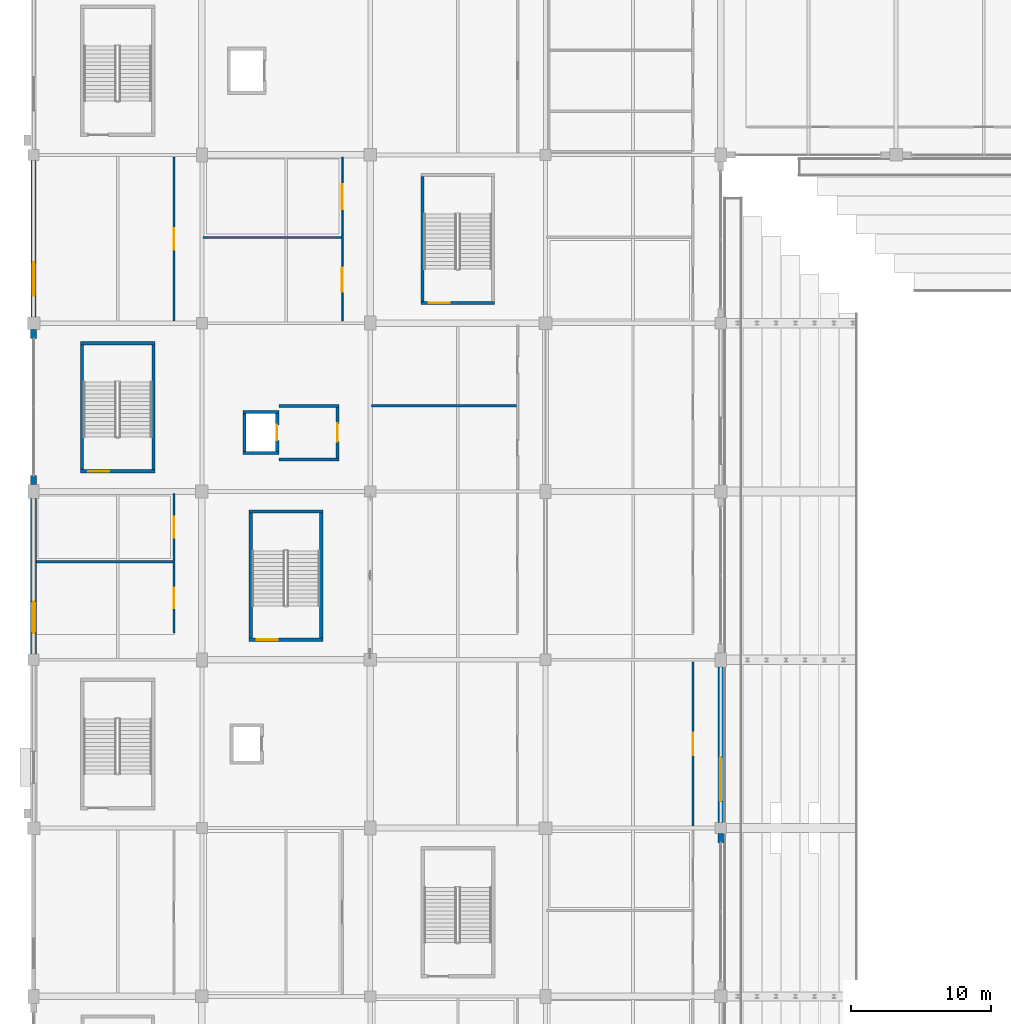
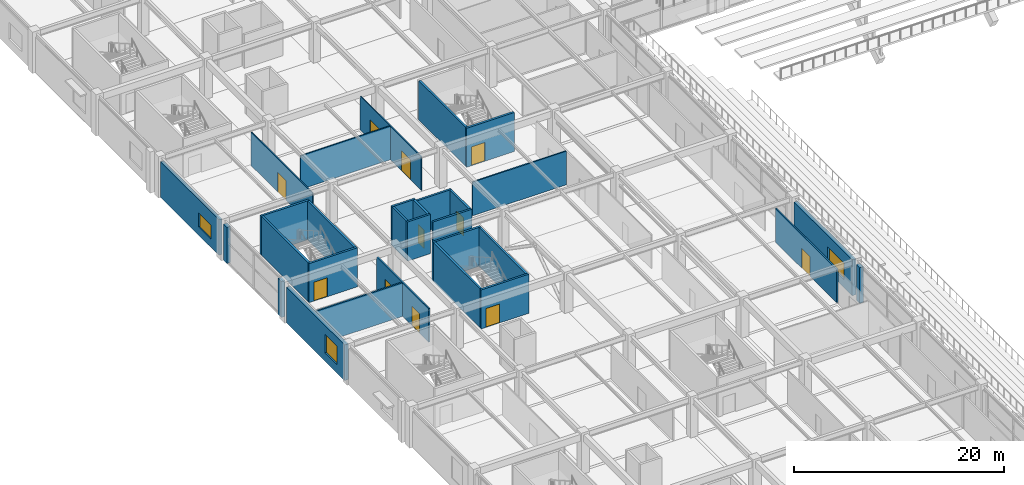
# One storey, part 81 of 134: 30 walls, 11 doors, 3 windows, 14 openings.
"""IFC4 building model written with IfcOpenShell, lengths in metres."""

from ifc_helpers import new_model, si_unit, direction, frame, frame_2d, origin, place, context, subcontext, project, spatial, rectangle, extrude, material, layer, layer_set, type_object, element, fill, save


model = new_model("IFC4")

# Units and contexts
model_context = context("Model", 3, precision=1e-05, world=origin(), true_north=direction((0.0, 1.0)))
body_context = subcontext(model_context, "Body", "Model", "MODEL_VIEW")
ifc_project = project(units=[si_unit("LENGTHUNIT", "METRE"), si_unit("AREAUNIT", "SQUARE_METRE"), si_unit("VOLUMEUNIT", "CUBIC_METRE"), si_unit("PLANEANGLEUNIT", "RADIAN"), si_unit("MASSUNIT", "GRAM", prefix="KILO")], contexts=[model_context])

# Site, building, storey
site_placement = place(None, origin())
site = spatial("IfcSite", under=ifc_project, at=site_placement, CompositionType="ELEMENT")
building_placement = place(site_placement, origin())
building = spatial("IfcBuilding", under=site, at=building_placement, Name="Kazenohara Klinker Stadium", CompositionType="ELEMENT")
storey_placement = place(building_placement, frame((0.0, 0.0, 5.39990234375)))
storey = spatial("IfcBuildingStorey", under=building, at=storey_placement, Name="L01", CompositionType="ELEMENT", Elevation=5.39990234375)

# Wall, opening, door
ifc_material_1 = material(Name="Concrete C40/50", Category="concrete")
ifc_layer_1 = layer(ifc_material_1, 0.22998046875)
ifc_layer_set_1 = layer_set([ifc_layer_1], Name="Concrete C40/50")
wall_type_1 = type_object("IfcWallType", Name="WAL-CORE-230", PredefinedType="SHEAR", material=ifc_layer_set_1)
wall_1_placement = place(storey_placement, frame((3.340087890625, 109.43505859375, 0.0), z_axis=(0.0, 0.0, 1.0), x_axis=(1.0, 0.0, 0.0)))
wall_1 = element("IfcWall", 1, at=wall_1_placement, inside=storey, type_object=wall_type_1, Name="Stairwell shear wall ST04 L01 South", PredefinedType="SHEAR", context=body_context, shape_type="SweptSolid", body=[
    extrude(rectangle(XDim=5.31982421875, YDim=0.22998046875, at=frame_2d((2.659912109375, 0.0))), origin(), (0.0, 0.0, 1.0), 4.550048828125),
])
opening_1_placement = place(wall_1_placement, frame((0.550048828125, 0.0, 0.0)))
opening_1 = element("IfcOpeningElement", 2, at=opening_1_placement, cuts=wall_1, Name="Opening SD02", PredefinedType="OPENING", context=body_context, shape_type="SweptSolid", body=[
    extrude(rectangle(XDim=1.5, YDim=2.199951171875, at=frame_2d((0.75, 1.10009765625))), frame((0.0, 0.125, 0.0), z_axis=(0.0, -1.0, 0.0), x_axis=(1.0, 0.0, 0.0)), (0.0, 0.0, 1.0), 0.25),
])
ifc_material_2 = material(Name="Flush painted steel fire door leaf", Category="steel")
door_type_1 = type_object("IfcDoorType", Name="DR-STR-1500x2200", OperationType="NOTDEFINED", PredefinedType="DOOR", material=ifc_material_2)
door_1_placement = place(opening_1_placement, origin())
door_1 = element("IfcDoor", 3, at=door_1_placement, inside=storey, type_object=door_type_1, Name="Escape stairwell fire door ST04-L01", OperationType="SINGLE_SWING_RIGHT", OverallHeight=2.199951171875, OverallWidth=1.5, PredefinedType="DOOR", context=body_context, shape_type="SweptSolid", body=[
    extrude(rectangle(XDim=1.5, YDim=2.199951171875, at=frame_2d((0.75, 1.10009765625))), frame((0.0, 0.02490234375, 0.0), z_axis=(0.0, -1.0, 0.0), x_axis=(1.0, 0.0, 0.0)), (0.0, 0.0, 1.0), 0.050048828125),
])
fill(opening_1, door_1)

# Walls
wall_2_placement = place(storey_placement, frame((3.340087890625, 118.56494140625, 0.0), z_axis=(0.0, 0.0, 1.0), x_axis=(1.0, 0.0, 0.0)))
element("IfcWall", 4, at=wall_2_placement, inside=storey, type_object=wall_type_1, Name="Stairwell shear wall ST04 L01 North", PredefinedType="SHEAR", context=body_context, shape_type="SweptSolid", body=[
    extrude(rectangle(XDim=5.31982421875, YDim=0.22998046875, at=frame_2d((2.659912109375, 0.0))), origin(), (0.0, 0.0, 1.0), 4.550048828125),
])
for number, where, z_axis, x_axis, name in (
    (5, (3.455078125, 109.550048828125, 0.0), (0.0, 0.0, 1.0), (0.0, 1.0, 0.0), "Stairwell shear wall ST04 L01 West"),
    (6, (8.544921875, 109.550048828125, 0.0), (0.0, 0.0, 1.0), (0.0, 1.0, 0.0), "Stairwell shear wall ST04 L01 East"),
):
    element("IfcWall", number, at=place(storey_placement, frame(where, z_axis=z_axis, x_axis=x_axis)), inside=storey, type_object=wall_type_1, Name=name, PredefinedType="SHEAR", context=body_context, shape_type="SweptSolid", body=[
        extrude(rectangle(XDim=8.89990234375, YDim=0.22998046875, at=frame_2d((4.449951171875, 0.0))), origin(), (0.0, 0.0, 1.0), 4.550048828125),
    ])

# Wall, opening, door
wall_3_placement = place(storey_placement, frame((15.3701171875, 97.43505859375, 0.0), z_axis=(0.0, 0.0, 1.0), x_axis=(1.0, 0.0, 0.0)))
wall_3 = element("IfcWall", 7, at=wall_3_placement, inside=storey, type_object=wall_type_1, Name="Stairwell shear wall ST14 L01 South", PredefinedType="SHEAR", context=body_context, shape_type="SweptSolid", body=[
    extrude(rectangle(XDim=5.259765625, YDim=0.22998046875, at=frame_2d((2.6298828125, 0.0))), origin(), (0.0, 0.0, 1.0), 4.550048828125),
])
opening_2_placement = place(wall_3_placement, frame((0.550048828125, 0.0, 0.0)))
opening_2 = element("IfcOpeningElement", 8, at=opening_2_placement, cuts=wall_3, Name="Opening SD02", PredefinedType="OPENING", context=body_context, shape_type="SweptSolid", body=[
    extrude(rectangle(XDim=1.5, YDim=2.199951171875, at=frame_2d((0.75, 1.10009765625))), frame((0.0, 0.125, 0.0), z_axis=(0.0, -1.0, 0.0), x_axis=(1.0, 0.0, 0.0)), (0.0, 0.0, 1.0), 0.25),
])
door_2_placement = place(opening_2_placement, origin())
door_2 = element("IfcDoor", 9, at=door_2_placement, inside=storey, type_object=door_type_1, Name="Escape stairwell fire door ST14-L01", OperationType="SINGLE_SWING_RIGHT", OverallHeight=2.199951171875, OverallWidth=1.5, PredefinedType="DOOR", context=body_context, shape_type="SweptSolid", body=[
    extrude(rectangle(XDim=1.5, YDim=2.199951171875, at=frame_2d((0.75, 1.10009765625))), frame((0.0, 0.02490234375, 0.0), z_axis=(0.0, -1.0, 0.0), x_axis=(1.0, 0.0, 0.0)), (0.0, 0.0, 1.0), 0.050048828125),
])
fill(opening_2, door_2)

# Walls
wall_4_placement = place(storey_placement, frame((15.3701171875, 106.56494140625, 0.0), z_axis=(0.0, 0.0, 1.0), x_axis=(1.0, 0.0, 0.0)))
element("IfcWall", 10, at=wall_4_placement, inside=storey, type_object=wall_type_1, Name="Stairwell shear wall ST14 L01 North", PredefinedType="SHEAR", context=body_context, shape_type="SweptSolid", body=[
    extrude(rectangle(XDim=5.259765625, YDim=0.22998046875, at=frame_2d((2.6298828125, 0.0))), origin(), (0.0, 0.0, 1.0), 4.550048828125),
])
for number, where, z_axis, x_axis, name in (
    (11, (15.485107421875, 97.550048828125, 0.0), (0.0, 0.0, 1.0), (0.0, 1.0, 0.0), "Stairwell shear wall ST14 L01 West"),
    (12, (20.514892578125, 97.550048828125, 0.0), (0.0, 0.0, 1.0), (0.0, 1.0, 0.0), "Stairwell shear wall ST14 L01 East"),
):
    element("IfcWall", number, at=place(storey_placement, frame(where, z_axis=z_axis, x_axis=x_axis)), inside=storey, type_object=wall_type_1, Name=name, PredefinedType="SHEAR", context=body_context, shape_type="SweptSolid", body=[
        extrude(rectangle(XDim=8.89990234375, YDim=0.22998046875, at=frame_2d((4.449951171875, 0.0))), origin(), (0.0, 0.0, 1.0), 4.550048828125),
    ])

# Wall, opening, door
wall_5_placement = place(storey_placement, frame((27.6201171875, 121.43505859375, 0.0), z_axis=(0.0, 0.0, 1.0), x_axis=(1.0, 0.0, 0.0)))
wall_5 = element("IfcWall", 13, at=wall_5_placement, inside=storey, type_object=wall_type_1, Name="Stairwell shear wall ST18 L01 South", PredefinedType="SHEAR", context=body_context, shape_type="SweptSolid", body=[
    extrude(rectangle(XDim=5.259765625, YDim=0.22998046875, at=frame_2d((2.6298828125, 0.0))), origin(), (0.0, 0.0, 1.0), 4.550048828125),
])
opening_3_placement = place(wall_5_placement, frame((0.550048828125, 0.0, 0.0)))
opening_3 = element("IfcOpeningElement", 14, at=opening_3_placement, cuts=wall_5, Name="Opening SD02", PredefinedType="OPENING", context=body_context, shape_type="SweptSolid", body=[
    extrude(rectangle(XDim=1.5, YDim=2.199951171875, at=frame_2d((0.75, 1.10009765625))), frame((0.0, 0.125, 0.0), z_axis=(0.0, -1.0, 0.0), x_axis=(1.0, 0.0, 0.0)), (0.0, 0.0, 1.0), 0.25),
])
door_3_placement = place(opening_3_placement, origin())
door_3 = element("IfcDoor", 15, at=door_3_placement, inside=storey, type_object=door_type_1, Name="Escape stairwell fire door ST18-L01", OperationType="SINGLE_SWING_LEFT", OverallHeight=2.199951171875, OverallWidth=1.5, PredefinedType="DOOR", context=body_context, shape_type="SweptSolid", body=[
    extrude(rectangle(XDim=1.5, YDim=2.199951171875, at=frame_2d((0.75, 1.10009765625))), frame((0.0, 0.02490234375, 0.0), z_axis=(0.0, -1.0, 0.0), x_axis=(1.0, 0.0, 0.0)), (0.0, 0.0, 1.0), 0.050048828125),
])
fill(opening_3, door_3)

# Walls
wall_6_placement = place(storey_placement, frame((27.735107421875, 121.550048828125, 0.0), z_axis=(0.0, 0.0, 1.0), x_axis=(0.0, 1.0, 0.0)))
element("IfcWall", 16, at=wall_6_placement, inside=storey, type_object=wall_type_1, Name="Stairwell shear wall ST18 L01 West", PredefinedType="SHEAR", context=body_context, shape_type="SweptSolid", body=[
    extrude(rectangle(XDim=8.89990234375, YDim=0.22998046875, at=frame_2d((4.449951171875, 0.0))), origin(), (0.0, 0.0, 1.0), 4.550048828125),
])
for number, where, z_axis, x_axis, name in (
    (17, (14.919921875, 110.735107421875, 0.0), (0.0, 0.0, 1.0), (1.0, 0.0, 0.0), "Elevator shaft wall LF02 L01 South"),
    (18, (14.919921875, 113.6650390625, 0.0), (0.0, 0.0, 1.0), (1.0, 0.0, 0.0), "Elevator shaft wall LF02 L01 North"),
):
    element("IfcWall", number, at=place(storey_placement, frame(where, z_axis=z_axis, x_axis=x_axis)), inside=storey, type_object=wall_type_1, Name=name, PredefinedType="SHEAR", context=body_context, shape_type="SweptSolid", body=[
        extrude(rectangle(XDim=2.56005859375, YDim=0.22998046875, at=frame_2d((1.280029296875, 0.0))), origin(), (0.0, 0.0, 1.0), 4.550048828125),
    ])
wall_7_placement = place(storey_placement, frame((15.034912109375, 110.85009765625, 0.0), z_axis=(0.0, 0.0, 1.0), x_axis=(0.0, 1.0, 0.0)))
element("IfcWall", 19, at=wall_7_placement, inside=storey, type_object=wall_type_1, Name="Elevator shaft wall LF02 L01 West", PredefinedType="SHEAR", context=body_context, shape_type="SweptSolid", body=[
    extrude(rectangle(XDim=2.699951171875, YDim=0.22998046875, at=frame_2d((1.35009765625, 0.0))), origin(), (0.0, 0.0, 1.0), 4.550048828125),
])

# Wall, opening, door
wall_8_placement = place(storey_placement, frame((17.364990234375, 110.85009765625, 0.0), z_axis=(0.0, 0.0, 1.0), x_axis=(0.0, 1.0, 0.0)))
wall_8 = element("IfcWall", 20, at=wall_8_placement, inside=storey, type_object=wall_type_1, Name="Elevator shaft wall LF02 L01 East", PredefinedType="SHEAR", context=body_context, shape_type="SweptSolid", body=[
    extrude(rectangle(XDim=2.699951171875, YDim=0.22998046875, at=frame_2d((1.35009765625, 0.0))), origin(), (0.0, 0.0, 1.0), 4.550048828125),
])
opening_4_placement = place(wall_8_placement, frame((0.800048828125, 0.0, 0.0)))
opening_4 = element("IfcOpeningElement", 21, at=opening_4_placement, cuts=wall_8, Name="Opening LD01", PredefinedType="OPENING", context=body_context, shape_type="SweptSolid", body=[
    extrude(rectangle(XDim=1.10009765625, YDim=2.14990234375, at=frame_2d((0.550048828125, 1.074951171875))), frame((0.0, 0.125, 0.0), z_axis=(0.0, -1.0, 0.0), x_axis=(1.0, 0.0, 0.0)), (0.0, 0.0, 1.0), 0.25),
])
ifc_material_3 = material(Name="Stainless steel fire-rated sliding landing door", Category="steel")
door_type_2 = type_object("IfcDoorType", Name="DR-LD01-1100x2150", OperationType="NOTDEFINED", PredefinedType="DOOR", material=ifc_material_3)
door_4_placement = place(opening_4_placement, origin())
door_4 = element("IfcDoor", 22, at=door_4_placement, inside=storey, type_object=door_type_2, Name="Elevator sliding landing door LF02-L01", OperationType="DOUBLE_DOOR_SLIDING", OverallHeight=2.14990234375, OverallWidth=1.10009765625, PredefinedType="DOOR", context=body_context, shape_type="SweptSolid", body=[
    extrude(rectangle(XDim=1.10009765625, YDim=2.14990234375, at=frame_2d((0.550048828125, 1.074951171875))), frame((0.0, 0.02490234375, 0.0), z_axis=(0.0, -1.0, 0.0), x_axis=(1.0, 0.0, 0.0)), (0.0, 0.0, 1.0), 0.050048828125),
])
fill(opening_4, door_4)

# Wall, opening, window
ifc_material_4 = material(Name="Clinker brick masonry", Category="masonry")
ifc_layer_2 = layer(ifc_material_4, 0.340087890625)
ifc_layer_set_2 = layer_set([ifc_layer_2], Name="Clinker brick masonry")
wall_type_2 = type_object("IfcWallType", Name="WAL-EXT-CB340", PredefinedType="SOLIDWALL", material=ifc_layer_set_2)
wall_9_placement = place(storey_placement, frame((0.0, 120.4541015625, 0.0), z_axis=(0.0, 0.0, 1.0), x_axis=(0.0, 1.0, 0.0)))
wall_9 = element("IfcWall", 23, at=wall_9_placement, inside=storey, type_object=wall_type_2, Name="Clinker brick cavity wall EW04 L01 Y0-10", PredefinedType="SOLIDWALL", context=body_context, shape_type="SweptSolid", body=[
    extrude(rectangle(XDim=11.141845703125, YDim=0.340087890625, at=frame_2d((5.57080078125, 0.0))), origin(), (0.0, 0.0, 1.0), 4.150146484375),
])
opening_5_placement = place(wall_9_placement, frame((1.5, 0.0, 0.949951171875)))
opening_5 = element("IfcOpeningElement", 24, at=opening_5_placement, cuts=wall_9, Name="Opening W23", PredefinedType="OPENING", context=body_context, shape_type="SweptSolid", body=[
    extrude(rectangle(XDim=2.39990234375, YDim=1.64990234375, at=frame_2d((1.199951171875, 0.824951171875))), frame((0.0, 0.18017578125, 0.0), z_axis=(0.0, -1.0, 0.0), x_axis=(1.0, 0.0, 0.0)), (0.0, 0.0, 1.0), 0.360107421875),
])
ifc_material_5 = material(Name="Dark bronze aluminium frame and triple glazing", Category="aluminium")
window_type_1 = type_object("IfcWindowType", Name="WIN-AS-23", PartitioningType="SINGLE_PANEL", PredefinedType="WINDOW", material=ifc_material_5)
window_1_placement = place(opening_5_placement, origin())
window_1 = element("IfcWindow", 25, at=window_1_placement, inside=storey, type_object=window_type_1, Name="Horizontal-mullion ladder window W23 L01 Y0-10", OverallHeight=1.64990234375, OverallWidth=2.39990234375, PartitioningType="SINGLE_PANEL", PredefinedType="WINDOW", context=body_context, shape_type="SweptSolid", body=[
    extrude(rectangle(XDim=2.39990234375, YDim=1.64990234375, at=frame_2d((1.199951171875, 0.824951171875))), frame((0.0, 0.030029296875, 0.0), z_axis=(0.0, -1.0, 0.0), x_axis=(1.0, 0.0, 0.0)), (0.0, 0.0, 1.0), 0.06005859375),
])
fill(opening_5, window_1)

ifc_layer_3 = layer(ifc_material_4, 0.409912109375)
ifc_layer_set_3 = layer_set([ifc_layer_3], Name="Clinker brick masonry")
wall_type_3 = type_object("IfcWallType", Name="WAL-EXT-CB410", PredefinedType="SOLIDWALL", material=ifc_layer_set_3)
wall_10_placement = place(storey_placement, frame((0.0, 96.404052734375, 0.0), z_axis=(0.0, 0.0, 1.0), x_axis=(0.0, 1.0, 0.0)))
wall_10 = element("IfcWall", 26, at=wall_10_placement, inside=storey, type_object=wall_type_3, Name="Clinker brick cavity wall EW02 L01 Y0-8", PredefinedType="SOLIDWALL", context=body_context, shape_type="SweptSolid", body=[
    extrude(rectangle(XDim=11.092041015625, YDim=0.409912109375, at=frame_2d((5.5458984375, 0.0))), origin(), (0.0, 0.0, 1.0), 4.150146484375),
])
opening_6_placement = place(wall_10_placement, frame((1.5, 0.0, 0.949951171875)))
opening_6 = element("IfcOpeningElement", 27, at=opening_6_placement, cuts=wall_10, Name="Opening W22", PredefinedType="OPENING", context=body_context, shape_type="SweptSolid", body=[
    extrude(rectangle(XDim=2.25, YDim=2.199951171875, at=frame_2d((1.125, 1.10009765625))), frame((0.0, 0.21484375, 0.0), z_axis=(0.0, -1.0, 0.0), x_axis=(1.0, 0.0, 0.0)), (0.0, 0.0, 1.0), 0.429931640625),
])
window_type_2 = type_object("IfcWindowType", Name="WIN-AS-22", PartitioningType="SINGLE_PANEL", PredefinedType="WINDOW", material=ifc_material_5)
window_2_placement = place(opening_6_placement, origin())
window_2 = element("IfcWindow", 28, at=window_2_placement, inside=storey, type_object=window_type_2, Name="Horizontal-mullion ladder window W22 L01 Y0-8", OverallHeight=2.199951171875, OverallWidth=2.25, PartitioningType="SINGLE_PANEL", PredefinedType="WINDOW", context=body_context, shape_type="SweptSolid", body=[
    extrude(rectangle(XDim=2.25, YDim=2.199951171875, at=frame_2d((1.125, 1.10009765625))), frame((0.0, 0.030029296875, 0.0), z_axis=(0.0, -1.0, 0.0), x_axis=(1.0, 0.0, 0.0)), (0.0, 0.0, 1.0), 0.06005859375),
])
fill(opening_6, window_2)

# Walls
wall_11_placement = place(storey_placement, frame((0.0, 108.50390625, 0.0), z_axis=(0.0, 0.0, 1.0), x_axis=(0.0, 1.0, 0.0)))
element("IfcWall", 29, at=wall_11_placement, inside=storey, type_object=wall_type_3, Name="Clinker brick curtain-wall jamb pier L01 Y0-9 A", PredefinedType="SOLIDWALL", context=body_context, shape_type="SweptSolid", body=[
    extrude(rectangle(XDim=0.650146484375, YDim=0.409912109375, at=frame_2d((0.3251953125, 0.0))), origin(), (0.0, 0.0, 1.0), 4.2001953125),
])
wall_12_placement = place(storey_placement, frame((0.0, 118.89599609375, 0.0), z_axis=(0.0, 0.0, 1.0), x_axis=(0.0, 1.0, 0.0)))
element("IfcWall", 30, at=wall_12_placement, inside=storey, type_object=wall_type_3, Name="Clinker brick curtain-wall jamb pier L01 Y0-9 B", PredefinedType="SOLIDWALL", context=body_context, shape_type="SweptSolid", body=[
    extrude(rectangle(XDim=0.64990234375, YDim=0.409912109375, at=frame_2d((0.324951171875, 0.0))), origin(), (0.0, 0.0, 1.0), 4.2001953125),
])
wall_13_placement = place(storey_placement, frame((49.0, 82.946044921875, 0.0), z_axis=(0.0, 0.0, 1.0), x_axis=(0.0, 1.0, 0.0)))
element("IfcWall", 31, at=wall_13_placement, inside=storey, type_object=wall_type_3, Name="Clinker brick curtain-wall jamb pier L01 Y4-6 B", PredefinedType="SOLIDWALL", context=body_context, shape_type="SweptSolid", body=[
    extrude(rectangle(XDim=0.64990234375, YDim=0.409912109375, at=frame_2d((0.324951171875, 0.0))), origin(), (0.0, 0.0, 1.0), 4.150146484375),
])

# Wall, opening, window
wall_14_placement = place(storey_placement, frame((49.0, 84.404052734375, 0.0), z_axis=(0.0, 0.0, 1.0), x_axis=(0.0, 1.0, 0.0)))
wall_14 = element("IfcWall", 32, at=wall_14_placement, inside=storey, type_object=wall_type_3, Name="Clinker brick cavity wall EW02 L01 Y4-7", PredefinedType="SOLIDWALL", context=body_context, shape_type="SweptSolid", body=[
    extrude(rectangle(XDim=11.092041015625, YDim=0.409912109375, at=frame_2d((5.5458984375, 0.0))), origin(), (0.0, 0.0, 1.0), 4.2001953125),
])
opening_7_placement = place(wall_14_placement, frame((1.5, 0.0, 0.949951171875)))
opening_7 = element("IfcOpeningElement", 33, at=opening_7_placement, cuts=wall_14, Name="Opening W32", PredefinedType="OPENING", context=body_context, shape_type="SweptSolid", body=[
    extrude(rectangle(XDim=3.14990234375, YDim=1.89990234375, at=frame_2d((1.574951171875, 0.949951171875))), frame((0.0, 0.21484375, 0.0), z_axis=(0.0, -1.0, 0.0), x_axis=(1.0, 0.0, 0.0)), (0.0, 0.0, 1.0), 0.429931640625),
])
window_type_3 = type_object("IfcWindowType", Name="WIN-AS-32", PartitioningType="SINGLE_PANEL", PredefinedType="WINDOW", material=ifc_material_5)
window_3_placement = place(opening_7_placement, origin())
window_3 = element("IfcWindow", 34, at=window_3_placement, inside=storey, type_object=window_type_3, Name="Horizontal-mullion ladder window W32 L01 Y4-7", OverallHeight=1.89990234375, OverallWidth=3.14990234375, PartitioningType="SINGLE_PANEL", PredefinedType="WINDOW", context=body_context, shape_type="SweptSolid", body=[
    extrude(rectangle(XDim=3.14990234375, YDim=1.89990234375, at=frame_2d((1.574951171875, 0.949951171875))), frame((0.0, 0.030029296875, 0.0), z_axis=(0.0, -1.0, 0.0), x_axis=(1.0, 0.0, 0.0)), (0.0, 0.0, 1.0), 0.06005859375),
])
fill(opening_7, window_3)

# Walls
ifc_layer_4 = layer(ifc_material_1, 0.219970703125)
ifc_layer_set_4 = layer_set([ifc_layer_4], Name="Concrete C40/50")
wall_type_4 = type_object("IfcWallType", Name="WAL-INT-FF220", PredefinedType="SOLIDWALL", material=ifc_layer_set_4)
for number, where, z_axis, x_axis, name in (
    (35, (17.47998046875, 110.2900390625, 0.0), (0.0, 0.0, 1.0), (1.0, 0.0, 0.0), "Firefighting lobby wall LF02 L01 South"),
    (36, (17.47998046875, 114.110107421875, 0.0), (0.0, 0.0, 1.0), (1.0, 0.0, 0.0), "Firefighting lobby wall LF02 L01 North"),
):
    element("IfcWall", number, at=place(storey_placement, frame(where, z_axis=z_axis, x_axis=x_axis)), inside=storey, type_object=wall_type_4, Name=name, PredefinedType="SOLIDWALL", context=body_context, shape_type="SweptSolid", body=[
        extrude(rectangle(XDim=4.2900390625, YDim=0.219970703125, at=frame_2d((2.14501953125, 0.0))), origin(), (0.0, 0.0, 1.0), 3.920166015625),
    ])

# Wall, opening, door
wall_15_placement = place(storey_placement, frame((21.659912109375, 110.39990234375, 0.0), z_axis=(0.0, 0.0, 1.0), x_axis=(0.0, 1.0, 0.0)))
wall_15 = element("IfcWall", 37, at=wall_15_placement, inside=storey, type_object=wall_type_4, Name="Firefighting lobby front wall LF02 L01", PredefinedType="SOLIDWALL", context=body_context, shape_type="SweptSolid", body=[
    extrude(rectangle(XDim=3.60009765625, YDim=0.219970703125, at=frame_2d((1.800048828125, 0.0))), origin(), (0.0, 0.0, 1.0), 3.920166015625),
])
opening_8_placement = place(wall_15_placement, frame((1.14990234375, 0.0, 0.0)))
opening_8 = element("IfcOpeningElement", 38, at=opening_8_placement, cuts=wall_15, Name="Opening FD01", PredefinedType="OPENING", context=body_context, shape_type="SweptSolid", body=[
    extrude(rectangle(XDim=1.300048828125, YDim=2.14990234375, at=frame_2d((0.64990234375, 1.074951171875))), frame((0.0, 0.1201171875, 0.0), z_axis=(0.0, -1.0, 0.0), x_axis=(1.0, 0.0, 0.0)), (0.0, 0.0, 1.0), 0.239990234375),
])
ifc_material_6 = material(Name="Smoke-sealed steel fire lobby door", Category="steel")
door_type_3 = type_object("IfcDoorType", Name="DR-FFL-1300x2150", OperationType="NOTDEFINED", PredefinedType="DOOR", material=ifc_material_6)
door_5_placement = place(opening_8_placement, origin())
door_5 = element("IfcDoor", 39, at=door_5_placement, inside=storey, type_object=door_type_3, Name="Firefighting lobby smoke-sealed door LF02-L01", OperationType="SINGLE_SWING_RIGHT", OverallHeight=2.14990234375, OverallWidth=1.300048828125, PredefinedType="DOOR", context=body_context, shape_type="SweptSolid", body=[
    extrude(rectangle(XDim=1.300048828125, YDim=2.14990234375, at=frame_2d((0.64990234375, 1.074951171875))), frame((0.0, 0.02490234375, 0.0), z_axis=(0.0, -1.0, 0.0), x_axis=(1.0, 0.0, 0.0)), (0.0, 0.0, 1.0), 0.050048828125),
])
fill(opening_8, door_5)

ifc_material_7 = material(Name="Fire-rated gypsum board on acoustic studs", Category="gypsum")
ifc_layer_5 = layer(ifc_material_7, 0.110107421875)
ifc_layer_set_5 = layer_set([ifc_layer_5], Name="Fire-rated gypsum board on acoustic studs")
wall_type_5 = type_object("IfcWallType", Name="WAL-INT-P110", PredefinedType="PARTITIONING", material=ifc_layer_set_5)
wall_16_placement = place(storey_placement, frame((10.010009765625, 120.159912109375, 0.0), z_axis=(0.0, 0.0, 1.0), x_axis=(0.0, 1.0, 0.0)))
wall_16 = element("IfcWall", 40, at=wall_16_placement, inside=storey, type_object=wall_type_5, Name="Interior partition wall PT01 SPC-L01-00-10-1-1", PredefinedType="PARTITIONING", context=body_context, shape_type="SweptSolid", body=[
    extrude(rectangle(XDim=11.68017578125, YDim=0.110107421875, at=frame_2d((5.840087890625, 0.0))), origin(), (0.0, 0.0, 1.0), 3.920166015625),
])
opening_9_placement = place(wall_16_placement, frame((5.06005859375, 0.0, 0.0)))
opening_9 = element("IfcOpeningElement", 41, at=opening_9_placement, cuts=wall_16, Name="Opening ID22", PredefinedType="OPENING", context=body_context, shape_type="SweptSolid", body=[
    extrude(rectangle(XDim=1.56005859375, YDim=2.260009765625, at=frame_2d((0.780029296875, 1.1298828125))), frame((0.0, 0.06494140625, 0.0), z_axis=(0.0, -1.0, 0.0), x_axis=(1.0, 0.0, 0.0)), (0.0, 0.0, 1.0), 0.130126953125),
])
ifc_material_8 = material(Name="Painted steel plant fire door", Category="steel")
door_type_4 = type_object("IfcDoorType", Name="DR-INT-22", OperationType="NOTDEFINED", PredefinedType="DOOR", material=ifc_material_8)
door_6_placement = place(opening_9_placement, origin())
door_6 = element("IfcDoor", 42, at=door_6_placement, inside=storey, type_object=door_type_4, Name="Interior door ID22 Spectator First-Aid Medical Clinic L01-0010A", OperationType="SINGLE_SWING_LEFT", OverallHeight=2.260009765625, OverallWidth=1.56005859375, PredefinedType="DOOR", context=body_context, shape_type="SweptSolid", body=[
    extrude(rectangle(XDim=1.56005859375, YDim=2.260009765625, at=frame_2d((0.780029296875, 1.1298828125))), frame((0.0, 0.02490234375, 0.0), z_axis=(0.0, -1.0, 0.0), x_axis=(1.0, 0.0, 0.0)), (0.0, 0.0, 1.0), 0.050048828125),
])
fill(opening_9, door_6)

# Wall, openings, doors
wall_17_placement = place(storey_placement, frame((22.010009765625, 120.159912109375, 0.0), z_axis=(0.0, 0.0, 1.0), x_axis=(0.0, 1.0, 0.0)))
wall_17 = element("IfcWall", 43, at=wall_17_placement, inside=storey, type_object=wall_type_5, Name="Interior partition wall PT01 SPC-L01-01-10-1-1", PredefinedType="PARTITIONING", context=body_context, shape_type="SweptSolid", body=[
    extrude(rectangle(XDim=11.68017578125, YDim=0.110107421875, at=frame_2d((5.840087890625, 0.0))), origin(), (0.0, 0.0, 1.0), 3.920166015625),
])
opening_10_placement = place(wall_17_placement, frame((2.08837890625, 0.0, 0.0)))
opening_10 = element("IfcOpeningElement", 44, at=opening_10_placement, cuts=wall_17, Name="Opening ID25", PredefinedType="OPENING", context=body_context, shape_type="SweptSolid", body=[
    extrude(rectangle(XDim=1.699951171875, YDim=2.320068359375, at=frame_2d((0.85009765625, 1.16015625))), frame((0.0, 0.06494140625, 0.0), z_axis=(0.0, -1.0, 0.0), x_axis=(1.0, 0.0, 0.0)), (0.0, 0.0, 1.0), 0.130126953125),
])
opening_11_placement = place(wall_17_placement, frame((7.978515625, 0.0, 0.0)))
opening_11 = element("IfcOpeningElement", 45, at=opening_11_placement, cuts=wall_17, Name="Opening ID26", PredefinedType="OPENING", context=body_context, shape_type="SweptSolid", body=[
    extrude(rectangle(XDim=1.760009765625, YDim=2.300048828125, at=frame_2d((0.8798828125, 1.14990234375))), frame((0.0, 0.06494140625, 0.0), z_axis=(0.0, -1.0, 0.0), x_axis=(1.0, 0.0, 0.0)), (0.0, 0.0, 1.0), 0.130126953125),
])
door_type_5 = type_object("IfcDoorType", Name="DR-INT-25", OperationType="NOTDEFINED", PredefinedType="DOOR", material=ifc_material_8)
door_7_placement = place(opening_10_placement, origin())
door_7 = element("IfcDoor", 46, at=door_7_placement, inside=storey, type_object=door_type_5, Name="Interior door ID25 Supporter Scarf and Jersey Retail Shop L01-0110A", OperationType="SINGLE_SWING_RIGHT", OverallHeight=2.320068359375, OverallWidth=1.699951171875, PredefinedType="DOOR", context=body_context, shape_type="SweptSolid", body=[
    extrude(rectangle(XDim=1.699951171875, YDim=2.320068359375, at=frame_2d((0.85009765625, 1.16015625))), frame((0.0, 0.02490234375, 0.0), z_axis=(0.0, -1.0, 0.0), x_axis=(1.0, 0.0, 0.0)), (0.0, 0.0, 1.0), 0.050048828125),
])
fill(opening_10, door_7)
door_type_6 = type_object("IfcDoorType", Name="DR-INT-26", OperationType="NOTDEFINED", PredefinedType="DOOR", material=ifc_material_8)
door_8_placement = place(opening_11_placement, origin())
door_8 = element("IfcDoor", 47, at=door_8_placement, inside=storey, type_object=door_type_6, Name="Interior door ID26 Community Martial Arts Fitness Studio L01-0110B", OperationType="SINGLE_SWING_LEFT", OverallHeight=2.300048828125, OverallWidth=1.760009765625, PredefinedType="DOOR", context=body_context, shape_type="SweptSolid", body=[
    extrude(rectangle(XDim=1.760009765625, YDim=2.300048828125, at=frame_2d((0.8798828125, 1.14990234375))), frame((0.0, 0.02490234375, 0.0), z_axis=(0.0, -1.0, 0.0), x_axis=(1.0, 0.0, 0.0)), (0.0, 0.0, 1.0), 0.050048828125),
])
fill(opening_11, door_8)

# Wall
ifc_layer_6 = layer(ifc_material_7, 0.1201171875)
ifc_layer_set_6 = layer_set([ifc_layer_6], Name="Fire-rated gypsum board on acoustic studs")
wall_type_6 = type_object("IfcWallType", Name="WAL-INT-P120", PredefinedType="PARTITIONING", material=ifc_layer_set_6)
wall_18_placement = place(storey_placement, frame((12.080078125, 126.11669921875, 0.0), z_axis=(0.0, 0.0, 1.0), x_axis=(1.0, 0.0, 0.0)))
element("IfcWall", 48, at=wall_18_placement, inside=storey, type_object=wall_type_6, Name="Interior partition wall PT02 SPC-L01-01-10-1-2", PredefinedType="PARTITIONING", context=body_context, shape_type="SweptSolid", body=[
    extrude(rectangle(XDim=9.869873046875, YDim=0.1201171875, at=frame_2d((4.93505859375, 0.0))), origin(), (0.0, 0.0, 1.0), 3.920166015625),
])

# Wall, openings, doors
ifc_layer_7 = layer(ifc_material_7, 0.14990234375)
ifc_layer_set_7 = layer_set([ifc_layer_7], Name="Fire-rated gypsum board on acoustic studs")
wall_type_7 = type_object("IfcWallType", Name="WAL-INT-P150", PredefinedType="PARTITIONING", material=ifc_layer_set_7)
wall_19_placement = place(storey_placement, frame((10.010009765625, 97.919921875, 0.0), z_axis=(0.0, 0.0, 1.0), x_axis=(0.0, 1.0, 0.0)))
wall_19 = element("IfcWall", 49, at=wall_19_placement, inside=storey, type_object=wall_type_7, Name="Interior partition wall PT04 SPC-L01-00-08-1-1", PredefinedType="PARTITIONING", context=body_context, shape_type="SweptSolid", body=[
    extrude(rectangle(XDim=9.920166015625, YDim=0.14990234375, at=frame_2d((4.9599609375, 0.0))), origin(), (0.0, 0.0, 1.0), 3.920166015625),
])
opening_12_placement = place(wall_19_placement, frame((1.74951171875, 0.0, 0.0)))
opening_12 = element("IfcOpeningElement", 50, at=opening_12_placement, cuts=wall_19, Name="Opening ID20", PredefinedType="OPENING", context=body_context, shape_type="SweptSolid", body=[
    extrude(rectangle(XDim=1.47998046875, YDim=2.239990234375, at=frame_2d((0.739990234375, 1.1201171875))), frame((0.0, 0.0849609375, 0.0), z_axis=(0.0, -1.0, 0.0), x_axis=(1.0, 0.0, 0.0)), (0.0, 0.0, 1.0), 0.169921875),
])
opening_13_placement = place(wall_19_placement, frame((6.76953125, 0.0, 0.0)))
opening_13 = element("IfcOpeningElement", 51, at=opening_13_placement, cuts=wall_19, Name="Opening ID21", PredefinedType="OPENING", context=body_context, shape_type="SweptSolid", body=[
    extrude(rectangle(XDim=1.52001953125, YDim=2.280029296875, at=frame_2d((0.760009765625, 1.14013671875))), frame((0.0, 0.0849609375, 0.0), z_axis=(0.0, -1.0, 0.0), x_axis=(1.0, 0.0, 0.0)), (0.0, 0.0, 1.0), 0.169921875),
])
door_type_7 = type_object("IfcDoorType", Name="DR-INT-20", OperationType="NOTDEFINED", PredefinedType="DOOR", material=ifc_material_8)
door_9_placement = place(opening_12_placement, origin())
door_9 = element("IfcDoor", 52, at=door_9_placement, inside=storey, type_object=door_type_7, Name="Interior door ID20 Spectator First-Aid Medical Clinic L01-0008A", OperationType="SINGLE_SWING_LEFT", OverallHeight=2.239990234375, OverallWidth=1.47998046875, PredefinedType="DOOR", context=body_context, shape_type="SweptSolid", body=[
    extrude(rectangle(XDim=1.47998046875, YDim=2.239990234375, at=frame_2d((0.739990234375, 1.1201171875))), frame((0.0, 0.02490234375, 0.0), z_axis=(0.0, -1.0, 0.0), x_axis=(1.0, 0.0, 0.0)), (0.0, 0.0, 1.0), 0.050048828125),
])
fill(opening_12, door_9)
door_type_8 = type_object("IfcDoorType", Name="DR-INT-21", OperationType="NOTDEFINED", PredefinedType="DOOR", material=ifc_material_8)
door_10_placement = place(opening_13_placement, origin())
door_10 = element("IfcDoor", 53, at=door_10_placement, inside=storey, type_object=door_type_8, Name="Interior door ID21 Supporter Scarf and Jersey Retail Shop L01-0008B", OperationType="SINGLE_SWING_RIGHT", OverallHeight=2.280029296875, OverallWidth=1.52001953125, PredefinedType="DOOR", context=body_context, shape_type="SweptSolid", body=[
    extrude(rectangle(XDim=1.52001953125, YDim=2.280029296875, at=frame_2d((0.760009765625, 1.14013671875))), frame((0.0, 0.02490234375, 0.0), z_axis=(0.0, -1.0, 0.0), x_axis=(1.0, 0.0, 0.0)), (0.0, 0.0, 1.0), 0.050048828125),
])
fill(opening_13, door_10)

# Wall
wall_20_placement = place(storey_placement, frame((24.080078125, 114.11669921875, 0.0), z_axis=(0.0, 0.0, 1.0), x_axis=(1.0, 0.0, 0.0)))
element("IfcWall", 54, at=wall_20_placement, inside=storey, type_object=wall_type_7, Name="Interior partition wall PT04 SPC-L01-02-09-1-2", PredefinedType="PARTITIONING", context=body_context, shape_type="SweptSolid", body=[
    extrude(rectangle(XDim=10.35498046875, YDim=0.14990234375, at=frame_2d((5.177490234375, 0.0))), origin(), (0.0, 0.0, 1.0), 3.920166015625),
])

# Wall, opening, door
wall_21_placement = place(storey_placement, frame((47.010009765625, 84.159912109375, 0.0), z_axis=(0.0, 0.0, 1.0), x_axis=(0.0, 1.0, 0.0)))
wall_21 = element("IfcWall", 55, at=wall_21_placement, inside=storey, type_object=wall_type_7, Name="Interior partition wall PT04 SPC-L01-03-07-1-1", PredefinedType="PARTITIONING", context=body_context, shape_type="SweptSolid", body=[
    extrude(rectangle(XDim=11.68017578125, YDim=0.14990234375, at=frame_2d((5.840087890625, 0.0))), origin(), (0.0, 0.0, 1.0), 3.920166015625),
])
opening_14_placement = place(wall_21_placement, frame((5.0400390625, 0.0, 0.0)))
opening_14 = element("IfcOpeningElement", 56, at=opening_14_placement, cuts=wall_21, Name="Opening ID23", PredefinedType="OPENING", context=body_context, shape_type="SweptSolid", body=[
    extrude(rectangle(XDim=1.60009765625, YDim=2.300048828125, at=frame_2d((0.800048828125, 1.14990234375))), frame((0.0, 0.0849609375, 0.0), z_axis=(0.0, -1.0, 0.0), x_axis=(1.0, 0.0, 0.0)), (0.0, 0.0, 1.0), 0.169921875),
])
door_type_9 = type_object("IfcDoorType", Name="DR-INT-23", OperationType="NOTDEFINED", PredefinedType="DOOR", material=ifc_material_8)
door_11_placement = place(opening_14_placement, origin())
door_11 = element("IfcDoor", 57, at=door_11_placement, inside=storey, type_object=door_type_9, Name="Interior door ID23 Family Sensory Hospitality Lounge L01-0307A", OperationType="SINGLE_SWING_RIGHT", OverallHeight=2.300048828125, OverallWidth=1.60009765625, PredefinedType="DOOR", context=body_context, shape_type="SweptSolid", body=[
    extrude(rectangle(XDim=1.60009765625, YDim=2.300048828125, at=frame_2d((0.800048828125, 1.14990234375))), frame((0.0, 0.02490234375, 0.0), z_axis=(0.0, -1.0, 0.0), x_axis=(1.0, 0.0, 0.0)), (0.0, 0.0, 1.0), 0.050048828125),
])
fill(opening_14, door_11)

# Wall
ifc_layer_8 = layer(ifc_material_7, 0.169921875)
ifc_layer_set_8 = layer_set([ifc_layer_8], Name="Fire-rated gypsum board on acoustic studs")
wall_type_8 = type_object("IfcWallType", Name="WAL-INT-P170", PredefinedType="PARTITIONING", material=ifc_layer_set_8)
wall_22_placement = place(storey_placement, frame((0.20703125, 102.979248046875, 0.0), z_axis=(0.0, 0.0, 1.0), x_axis=(1.0, 0.0, 0.0)))
element("IfcWall", 58, at=wall_22_placement, inside=storey, type_object=wall_type_8, Name="Interior partition wall PT05 SPC-L01-00-08-1-2", PredefinedType="PARTITIONING", context=body_context, shape_type="SweptSolid", body=[
    extrude(rectangle(XDim=9.722900390625, YDim=0.169921875, at=frame_2d((4.861328125, 0.0))), origin(), (0.0, 0.0, 1.0), 3.920166015625),
])

save(model, "model.ifc")
